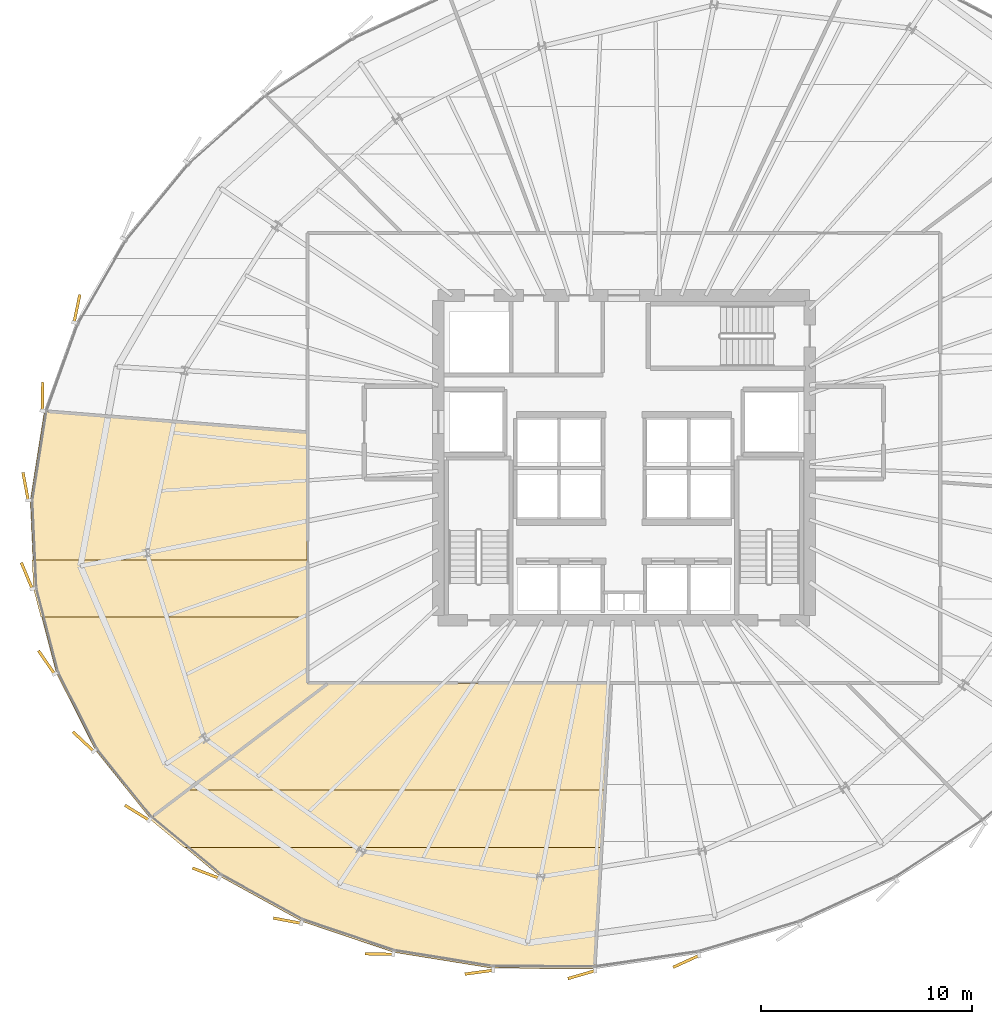
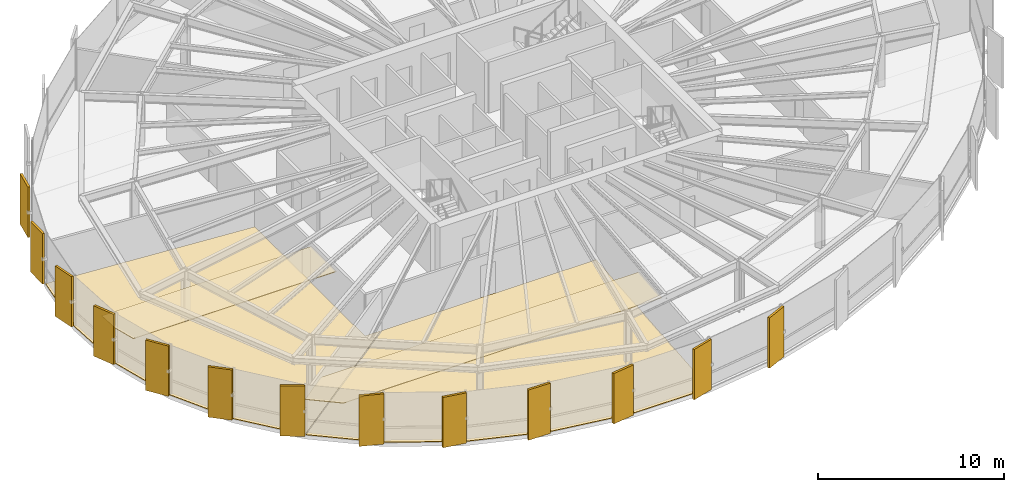
# One storey, part 30 of 33: 17 coverings.
"""IFC4 building model written with IfcOpenShell, lengths in metres."""

from ifc_helpers import new_model, si_unit, direction, frame, origin, origin_2d, place, context, subcontext, project, spatial, polyline, rectangle, outline, extrude, source, transform, mapped, material, layer, layer_set, type_object, element, save


model = new_model("IFC4")

# Units and contexts
model_context = context("Model", 3, precision=1e-05, world=origin(), true_north=direction((0.0, 1.0)))
body_context = subcontext(model_context, "Body", "Model", "MODEL_VIEW")
ifc_project = project(units=[si_unit("LENGTHUNIT", "METRE"), si_unit("AREAUNIT", "SQUARE_METRE"), si_unit("VOLUMEUNIT", "CUBIC_METRE"), si_unit("PLANEANGLEUNIT", "RADIAN"), si_unit("MASSUNIT", "GRAM", prefix="KILO"), si_unit("THERMODYNAMICTEMPERATUREUNIT", "KELVIN")], contexts=[model_context])

# Site, building, storey
site_placement = place(None, origin())
site = spatial("IfcSite", under=ifc_project, at=site_placement, CompositionType="ELEMENT")
building_placement = place(site_placement, origin())
building = spatial("IfcBuilding", under=site, at=building_placement, Name="Kethvar Cultural Tower", CompositionType="ELEMENT")
storey_placement = place(building_placement, frame((0.0, 0.0, 118.0)))
storey = spatial("IfcBuildingStorey", under=building, at=storey_placement, Name="L29", CompositionType="ELEMENT", Elevation=118.0)

# Coverings
ifc_material_1 = material(Name="Acoustic Mineral Fibre Ceiling")
ifc_layer_1 = layer(ifc_material_1, 0.0400390625, Name="Acoustic Mineral Fibre Ceiling")
ifc_layer_set_1 = layer_set([ifc_layer_1], Name="Acoustic Mineral Fibre Ceiling (40 mm)")
covering_type_1 = type_object("IfcCoveringType", Name="CV-ACOUSTIC-CEIL", PredefinedType="CEILING", material=ifc_layer_set_1)
covering_1_placement = place(storey_placement, frame((0.0, 0.0, 2.340087890625)))
element("IfcCovering", 1, at=covering_1_placement, inside=storey, type_object=covering_type_1, Name="L29 Room 01 Acoustic Ceiling Panel", PredefinedType="CEILING", context=body_context, shape_type="SweptSolid", body=[
    extrude(outline(polyline([(24.343505859375, 10.678466796875), (26.1064453125, 12.052978515625), (45.928466796875, 12.052978515625), (45.77490234375, 9.343017578125), (25.953857421875, 9.343017578125), (24.343505859375, 10.678466796875)])), origin(), (0.0, 0.0, 1.0), 0.039794921875),
])
covering_2_placement = place(storey_placement, frame((0.0, 0.0, 2.340087890625)))
element("IfcCovering", 2, at=covering_2_placement, inside=storey, type_object=covering_type_1, Name="L29 Room 09 Acoustic Ceiling Panel", PredefinedType="CEILING", context=body_context, shape_type="SweptSolid", body=[
    extrude(outline(polyline([(18.822265625, 21.609619140625), (18.760498046875, 22.96533203125), (31.830078125, 22.96533203125), (31.830078125, 20.25537109375), (19.17529296875, 20.25537109375), (18.822265625, 21.609619140625)])), origin(), (0.0, 0.0, 1.0), 0.039794921875),
])
ifc_material_2 = material(Name="Honed Warm Limestone", Category="masonry")
ifc_layer_2 = layer(ifc_material_2, 0.030029296875, Name="Honed Warm Limestone", Category="masonry")
ifc_layer_set_2 = layer_set([ifc_layer_2], Name="Honed Warm Limestone (30 mm)")
covering_type_2 = type_object("IfcCoveringType", Name="CV-STONE-FLOOR", PredefinedType="FLOORING", material=ifc_layer_set_2)
covering_3_placement = place(storey_placement, origin())
element("IfcCovering", 3, at=covering_3_placement, inside=storey, type_object=covering_type_2, Name="L29 Room 01 Floor Finish", PredefinedType="FLOORING", context=body_context, shape_type="SweptSolid", body=[
    extrude(outline(polyline([(40.5634765625, 3.622802734375), (35.889404296875, 4.376220703125), (31.546875, 5.84130859375), (27.66796875, 7.9736328125), (24.38818359375, 10.693115234375), (32.820556640625, 17.1201171875), (46.17529296875, 17.1201171875), (45.409912109375, 3.604248046875), (40.5634765625, 3.622802734375)])), origin(), (0.0, 0.0, 1.0), 0.030029296875),
])
covering_4_placement = place(storey_placement, origin())
element("IfcCovering", 4, at=covering_4_placement, inside=storey, type_object=covering_type_2, Name="L29 Room 09 Floor Finish", PredefinedType="FLOORING", context=body_context, shape_type="SweptSolid", body=[
    extrude(outline(polyline([(21.754638671875, 13.96142578125), (19.899658203125, 17.63525390625), (18.861572265625, 21.61767578125), (18.67236328125, 25.7880859375), (19.334716796875, 30.00341796875), (31.7900390625, 28.9951171875), (31.7900390625, 17.137939453125), (32.75439453125, 17.1201171875), (24.359619140625, 10.7216796875), (21.754638671875, 13.96142578125)])), origin(), (0.0, 0.0, 1.0), 0.030029296875),
])
ifc_material_3 = material(Name="Extruded Architectural Terracotta", Category="masonry")
ifc_layer_3 = layer(ifc_material_3, 0.135009765625, Name="Extruded Architectural Terracotta", Category="masonry")
ifc_layer_set_3 = layer_set([ifc_layer_3], Name="Extruded Architectural Terracotta (135 mm)")
covering_type_3 = type_object("IfcCoveringType", Name="Terracotta Facade Fin FIN-02", PredefinedType="CLADDING", material=ifc_layer_set_3)
shared_shape = source(origin(), body_context, "Body", "SweptSolid", [
    extrude(rectangle(XDim=1.35009765625, YDim=0.135009765625, at=origin_2d()), origin(), (0.0, 0.0, 1.0), 3.31005859375),
])
for number, where, z_axis, x_axis, name in (
    (5, (20.881591796875, 34.880615234375, 0.02001953125), (0.0, 0.0, 1.0), (0.204496051842, 0.978867388762, 0.0), "L29 Vertical Terracotta Fin 3.3"),
    (6, (19.249755859375, 30.7119140625, 0.02001953125), (0.0, 0.0, 1.0), (0.016230849315, 0.999868271089, 0.0), "L29 Vertical Terracotta Fin 3.4"),
    (7, (18.447998046875, 26.448974609375, 0.02001953125), (0.0, 0.0, 1.0), (-0.183951350613, 0.98293534915, 0.0), "L29 Vertical Terracotta Fin 3.5"),
    (8, (18.5048828125, 22.217529296875, 0.02001953125), (0.0, 0.0, 1.0), (-0.384456447386, 0.923143130865, 0.0), "L29 Vertical Terracotta Fin 3.6"),
    (9, (19.44189453125, 18.111572265625, 0.02001953125), (0.0, 0.0, 1.0), (-0.570570241419, 0.821248804935, 0.0), "L29 Vertical Terracotta Fin 4.1"),
    (10, (21.183349609375, 14.362548828125, 0.02001953125), (0.0, 0.0, 1.0), (-0.728968627421, 0.684547105929, 0.0), "L29 Vertical Terracotta Fin 4.2"),
    (11, (23.730712890625, 10.98681640625, 0.02001953125), (0.0, 0.0, 1.0), (-0.851086129097, 0.525026095407, 0.0), "L29 Vertical Terracotta Fin 4.3"),
    (12, (26.987060546875, 8.126708984375, 0.02001953125), (0.0, 0.0, 1.0), (-0.934825676396, 0.355106962408, 0.0), "L29 Vertical Terracotta Fin 4.4"),
    (13, (30.849853515625, 5.871826171875, 0.02001953125), (0.0, 0.0, 1.0), (-0.982806687355, 0.184637524056, 0.0), "L29 Vertical Terracotta Fin 4.5"),
    (14, (35.197021484375, 4.29150390625, 0.02001953125), (0.0, 0.0, 1.0), (-0.9997950604, 0.020244436248, 0.0), "L29 Vertical Terracotta Fin 4.6"),
    (15, (39.931884765625, 3.431396484375, 0.02001953125), (0.0, 0.0, 1.0), (-0.990795153782, -0.135369727936, 0.0), "L29 Vertical Terracotta Fin 5.1"),
    (16, (44.792724609375, 3.3154296875, 0.02001953125), (0.0, 0.0, 1.0), (-0.959756291775, -0.28083422227, 0.0), "L29 Vertical Terracotta Fin 5.2"),
    (17, (49.74658203125, 3.943603515625, 0.02001953125), (0.0, 0.0, 1.0), (-0.909236109047, -0.41628079226, 0.0), "L29 Vertical Terracotta Fin 5.3"),
):
    element("IfcCovering", number, at=place(storey_placement, frame(where, z_axis=z_axis, x_axis=x_axis)), inside=storey, type_object=covering_type_3, Name=name, PredefinedType="CLADDING", context=body_context, shape_type="MappedRepresentation", body=[
        mapped(shared_shape, transform((0.0, 0.0, 0.0), scale=1.0)),
    ])

save(model, "model.ifc")
